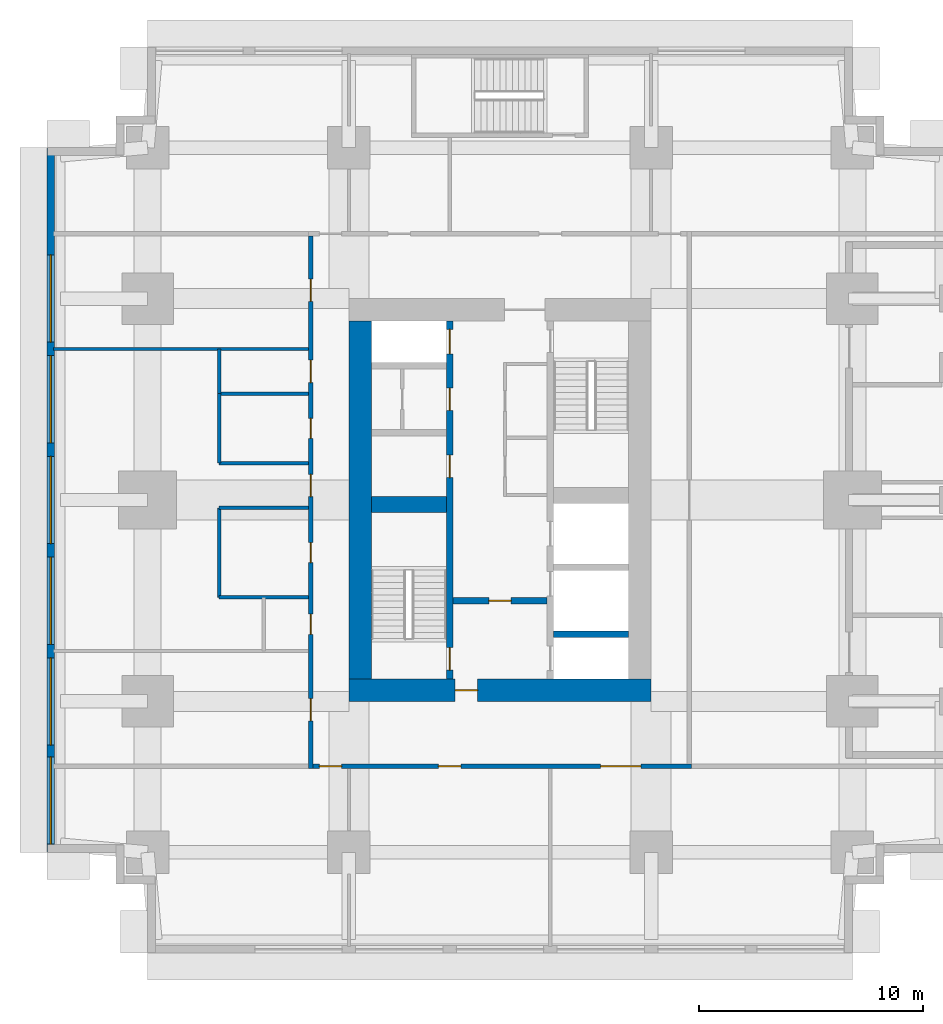
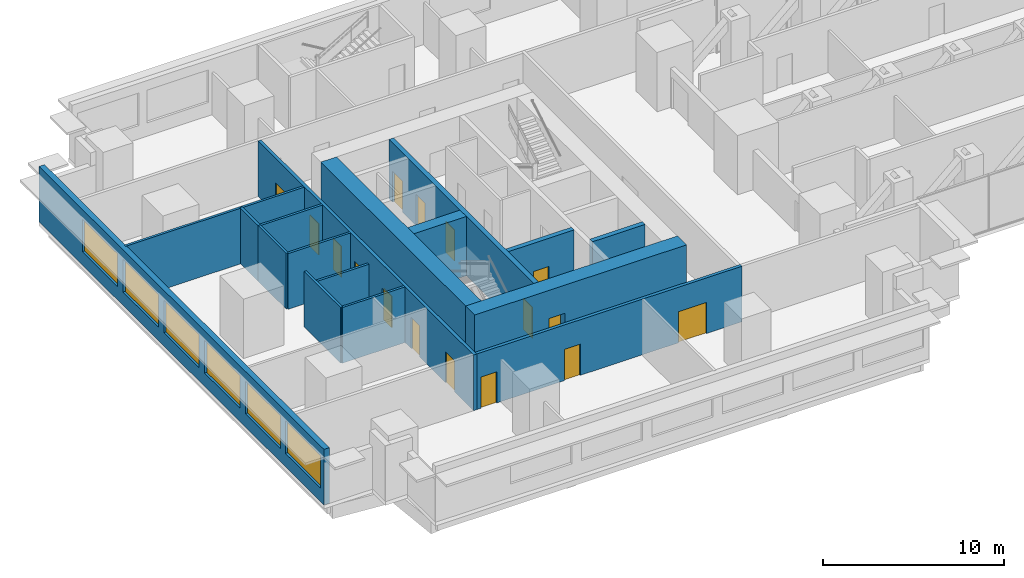
# One storey, part 7 of 16: 17 walls, 16 doors, 6 windows, 22 openings.
"""IFC4 building model written with IfcOpenShell, lengths in metres."""

from ifc_helpers import new_model, si_unit, direction, frame, frame_2d, origin, place, context, subcontext, project, spatial, rectangle, extrude, material, layer, layer_set, type_object, element, fill, save


model = new_model("IFC4")

# Units and contexts
model_context = context("Model", 3, precision=1e-05, world=origin(), true_north=direction((0.0, 1.0)))
body_context = subcontext(model_context, "Body", "Model", "MODEL_VIEW")
ifc_project = project(units=[si_unit("LENGTHUNIT", "METRE"), si_unit("AREAUNIT", "SQUARE_METRE"), si_unit("VOLUMEUNIT", "CUBIC_METRE"), si_unit("PLANEANGLEUNIT", "RADIAN"), si_unit("MASSUNIT", "GRAM", prefix="KILO")], contexts=[model_context])

# Site, building, storey
site_placement = place(None, origin())
site = spatial("IfcSite", under=ifc_project, at=site_placement, CompositionType="ELEMENT")
building_placement = place(site_placement, origin())
building = spatial("IfcBuilding", under=site, at=building_placement, Name="Namib Vertical Campus", CompositionType="ELEMENT")
storey_placement = place(building_placement, frame((0.0, 0.0, 113.0)))
storey = spatial("IfcBuildingStorey", under=building, at=storey_placement, Name="L26", CompositionType="ELEMENT", Elevation=113.0)

# Wall, openings, doors
ifc_material_1 = material(Name="Concrete C60/75", Category="concrete")
ifc_layer_1 = layer(ifc_material_1, 0.300048828125)
ifc_layer_set_1 = layer_set([ifc_layer_1], Name="Concrete C60/75")
wall_type_1 = type_object("IfcWallType", Name="Core inner wall 300", PredefinedType="SHEAR", material=ifc_layer_set_1)
wall_1_placement = place(storey_placement, frame((18.0, 12.25, 0.0), z_axis=(0.0, 0.0, 1.0), x_axis=(0.0, 1.0, 0.0)))
wall_1 = element("IfcWall", 1, at=wall_1_placement, inside=storey, type_object=wall_type_1, Name="Core inner wall A L26 W1", PredefinedType="SHEAR", context=body_context, shape_type="SweptSolid", body=[
    extrude(rectangle(XDim=16.0, YDim=0.300048828125, at=frame_2d((8.0, 0.0))), origin(), (0.0, 0.0, 1.0), 4.0),
])
opening_1_placement = place(wall_1_placement, frame((0.39990234375, 0.0, 0.0)))
opening_1 = element("IfcOpeningElement", 2, at=opening_1_placement, cuts=wall_1, Name="Opening FD1", PredefinedType="OPENING", context=body_context, shape_type="SweptSolid", body=[
    extrude(rectangle(XDim=1.0, YDim=2.10009765625, at=frame_2d((0.5, 1.050048828125))), frame((0.0, 0.159912109375, 0.0), z_axis=(0.0, -1.0, 0.0), x_axis=(1.0, 0.0, 0.0)), (0.0, 0.0, 1.0), 0.320068359375),
])
opening_2_placement = place(wall_1_placement, frame((14.52490234375, 0.0, 0.0)))
opening_2 = element("IfcOpeningElement", 3, at=opening_2_placement, cuts=wall_1, Name="Opening LD1", PredefinedType="OPENING", context=body_context, shape_type="SweptSolid", body=[
    extrude(rectangle(XDim=1.10009765625, YDim=2.10009765625, at=frame_2d((0.550048828125, 1.050048828125))), frame((0.0, 0.159912109375, 0.0), z_axis=(0.0, -1.0, 0.0), x_axis=(1.0, 0.0, 0.0)), (0.0, 0.0, 1.0), 0.320068359375),
])
opening_3_placement = place(wall_1_placement, frame((9.0, 0.0, 0.0)))
opening_3 = element("IfcOpeningElement", 4, at=opening_3_placement, cuts=wall_1, Name="Opening D1", PredefinedType="OPENING", context=body_context, shape_type="SweptSolid", body=[
    extrude(rectangle(XDim=1.0, YDim=2.10009765625, at=frame_2d((0.5, 1.050048828125))), frame((0.0, 0.159912109375, 0.0), z_axis=(0.0, -1.0, 0.0), x_axis=(1.0, 0.0, 0.0)), (0.0, 0.0, 1.0), 0.320068359375),
])
opening_4_placement = place(wall_1_placement, frame((12.0, 0.0, 0.0)))
opening_4 = element("IfcOpeningElement", 5, at=opening_4_placement, cuts=wall_1, Name="Opening D1", PredefinedType="OPENING", context=body_context, shape_type="SweptSolid", body=[
    extrude(rectangle(XDim=1.0, YDim=2.10009765625, at=frame_2d((0.5, 1.050048828125))), frame((0.0, 0.159912109375, 0.0), z_axis=(0.0, -1.0, 0.0), x_axis=(1.0, 0.0, 0.0)), (0.0, 0.0, 1.0), 0.320068359375),
])
ifc_material_2 = material(Name="Timber door leaf", Category="wood")
door_type_1 = type_object("IfcDoorType", Name="Door single 1000x2100", OperationType="SINGLE_SWING_LEFT", PredefinedType="DOOR", material=ifc_material_2)
door_1_placement = place(opening_3_placement, origin())
door_1 = element("IfcDoor", 6, at=door_1_placement, inside=storey, type_object=door_type_1, Name="Door D1 Staff pantry A L26 P1", OperationType="SINGLE_SWING_LEFT", OverallHeight=2.10009765625, OverallWidth=1.0, PredefinedType="DOOR", context=body_context, shape_type="SweptSolid", body=[
    extrude(rectangle(XDim=1.0, YDim=2.10009765625, at=frame_2d((0.5, 1.050048828125))), frame((0.0, 0.02490234375, 0.0), z_axis=(0.0, -1.0, 0.0), x_axis=(1.0, 0.0, 0.0)), (0.0, 0.0, 1.0), 0.050048828125),
])
fill(opening_3, door_1)
door_2_placement = place(opening_4_placement, origin())
door_2 = element("IfcDoor", 7, at=door_2_placement, inside=storey, type_object=door_type_1, Name="Door D1 Records store A L26 P2", OperationType="SINGLE_SWING_LEFT", OverallHeight=2.10009765625, OverallWidth=1.0, PredefinedType="DOOR", context=body_context, shape_type="SweptSolid", body=[
    extrude(rectangle(XDim=1.0, YDim=2.10009765625, at=frame_2d((0.5, 1.050048828125))), frame((0.0, 0.02490234375, 0.0), z_axis=(0.0, -1.0, 0.0), x_axis=(1.0, 0.0, 0.0)), (0.0, 0.0, 1.0), 0.050048828125),
])
fill(opening_4, door_2)
ifc_material_3 = material(Name="Steel fire door", Category="steel")
door_type_2 = type_object("IfcDoorType", Name="Fire door 1000x2100", OperationType="SINGLE_SWING_RIGHT", PredefinedType="DOOR", material=ifc_material_3)
door_3_placement = place(opening_1_placement, origin())
door_3 = element("IfcDoor", 8, at=door_3_placement, inside=storey, type_object=door_type_2, Name="Stair door FD1 A L26 S1", OperationType="SINGLE_SWING_LEFT", OverallHeight=2.10009765625, OverallWidth=1.0, PredefinedType="DOOR", context=body_context, shape_type="SweptSolid", body=[
    extrude(rectangle(XDim=1.0, YDim=2.10009765625, at=frame_2d((0.5, 1.050048828125))), frame((0.0, 0.02490234375, 0.0), z_axis=(0.0, -1.0, 0.0), x_axis=(1.0, 0.0, 0.0)), (0.0, 0.0, 1.0), 0.050048828125),
])
fill(opening_1, door_3)
ifc_material_4 = material(Name="Stainless steel lift door", Category="steel")
door_type_3 = type_object("IfcDoorType", Name="Lift landing door 1100x2100", OperationType="DOUBLE_DOOR_SLIDING", PredefinedType="DOOR", material=ifc_material_4)
door_4_placement = place(opening_2_placement, origin())
door_4 = element("IfcDoor", 9, at=door_4_placement, inside=storey, type_object=door_type_3, Name="Lift landing door LD1 A-P3 L26", OperationType="DOUBLE_DOOR_SLIDING", OverallHeight=2.10009765625, OverallWidth=1.10009765625, PredefinedType="DOOR", context=body_context, shape_type="SweptSolid", body=[
    extrude(rectangle(XDim=1.10009765625, YDim=2.10009765625, at=frame_2d((0.550048828125, 1.050048828125))), frame((0.0, 0.02490234375, 0.0), z_axis=(0.0, -1.0, 0.0), x_axis=(1.0, 0.0, 0.0)), (0.0, 0.0, 1.0), 0.050048828125),
])
fill(opening_2, door_4)

# Wall, opening, door
wall_2_placement = place(storey_placement, frame((18.14990234375, 15.75, 0.0), z_axis=(0.0, 0.0, 1.0), x_axis=(1.0, 0.0, 0.0)))
wall_2 = element("IfcWall", 10, at=wall_2_placement, inside=storey, type_object=wall_type_1, Name="Core inner wall A L26 W4", PredefinedType="SHEAR", context=body_context, shape_type="SweptSolid", body=[
    extrude(rectangle(XDim=4.2001953125, YDim=0.300048828125, at=frame_2d((2.10009765625, 0.0))), origin(), (0.0, 0.0, 1.0), 4.0),
])
opening_5_placement = place(wall_2_placement, frame((1.60009765625, 0.0, 0.0)))
opening_5 = element("IfcOpeningElement", 11, at=opening_5_placement, cuts=wall_2, Name="Opening FD5", PredefinedType="OPENING", context=body_context, shape_type="SweptSolid", body=[
    extrude(rectangle(XDim=1.0, YDim=2.10009765625, at=frame_2d((0.5, 1.050048828125))), frame((0.0, 0.159912109375, 0.0), z_axis=(0.0, -1.0, 0.0), x_axis=(1.0, 0.0, 0.0)), (0.0, 0.0, 1.0), 0.320068359375),
])
ifc_material_5 = material(Name="Steel fire door", Category="steel")
door_type_4 = type_object("IfcDoorType", Name="Fire door 1000x2100 120 min", OperationType="SINGLE_SWING_RIGHT", PredefinedType="DOOR", material=ifc_material_5)
door_5_placement = place(opening_5_placement, frame((1.0, 0.0, 0.0), z_axis=(0.0, 0.0, 1.0), x_axis=(-1.0, 0.0, 0.0)))
door_5 = element("IfcDoor", 12, at=door_5_placement, inside=storey, type_object=door_type_4, Name="Lobby door FD5 A L26", OperationType="SINGLE_SWING_RIGHT", OverallHeight=2.10009765625, OverallWidth=1.0, PredefinedType="DOOR", context=body_context, shape_type="SweptSolid", body=[
    extrude(rectangle(XDim=1.0, YDim=2.10009765625, at=frame_2d((0.5, 1.050048828125))), frame((0.0, 0.02490234375, 0.0), z_axis=(0.0, -1.0, 0.0), x_axis=(1.0, 0.0, 0.0)), (0.0, 0.0, 1.0), 0.050048828125),
])
fill(opening_5, door_5)

# Walls
wall_3_placement = place(storey_placement, frame((22.64990234375, 14.25, 0.0), z_axis=(0.0, 0.0, 1.0), x_axis=(1.0, 0.0, 0.0)))
element("IfcWall", 13, at=wall_3_placement, inside=storey, type_object=wall_type_1, Name="Core inner wall A L26 W5", PredefinedType="SHEAR", context=body_context, shape_type="SweptSolid", body=[
    extrude(rectangle(XDim=3.35009765625, YDim=0.300048828125, at=frame_2d((1.675048828125, 0.0))), origin(), (0.0, 0.0, 1.0), 4.0),
])
ifc_material_6 = material(Name="Concrete C60/75", Category="concrete")
ifc_layer_2 = layer(ifc_material_6, 0.699951171875)
ifc_layer_set_2 = layer_set([ifc_layer_2], Name="Concrete C60/75")
wall_type_2 = type_object("IfcWallType", Name="Core shear wall 700", PredefinedType="SHEAR", material=ifc_layer_set_2)
wall_4_placement = place(storey_placement, frame((14.5, 20.050048828125, 0.0), z_axis=(0.0, 0.0, 1.0), x_axis=(1.0, 0.0, 0.0)))
element("IfcWall", 14, at=wall_4_placement, inside=storey, type_object=wall_type_2, Name="Core shear wall A L26 W3", PredefinedType="SHEAR", context=body_context, shape_type="SweptSolid", body=[
    extrude(rectangle(XDim=3.35009765625, YDim=0.699951171875, at=frame_2d((1.675048828125, 0.0))), origin(), (0.0, 0.0, 1.0), 4.0),
])

# Wall, opening, door
ifc_material_7 = material(Name="Concrete C60/75", Category="concrete")
ifc_layer_3 = layer(ifc_material_7, 1.0)
ifc_layer_set_3 = layer_set([ifc_layer_3], Name="Concrete C60/75")
wall_type_3 = type_object("IfcWallType", Name="Core wall 1000", PredefinedType="SHEAR", material=ifc_layer_set_3)
wall_5_placement = place(storey_placement, frame((13.5, 11.75, 0.0), z_axis=(0.0, 0.0, 1.0), x_axis=(1.0, 0.0, 0.0)))
wall_5 = element("IfcWall", 15, at=wall_5_placement, inside=storey, type_object=wall_type_3, Name="Core wall A L26 1", PredefinedType="SHEAR", context=body_context, shape_type="SweptSolid", body=[
    extrude(rectangle(XDim=13.5, YDim=1.0, at=frame_2d((6.75, 0.0))), origin(), (0.0, 0.0, 1.0), 4.0),
])
opening_6_placement = place(wall_5_placement, frame((4.75, 0.0, 0.0)))
opening_6 = element("IfcOpeningElement", 16, at=opening_6_placement, cuts=wall_5, Name="Opening FD5", PredefinedType="OPENING", context=body_context, shape_type="SweptSolid", body=[
    extrude(rectangle(XDim=1.0, YDim=2.10009765625, at=frame_2d((0.5, 1.050048828125))), frame((0.0, 0.510009765625, 0.0), z_axis=(0.0, -1.0, 0.0), x_axis=(1.0, 0.0, 0.0)), (0.0, 0.0, 1.0), 1.02001953125),
])
door_6_placement = place(opening_6_placement, origin())
door_6 = element("IfcDoor", 17, at=door_6_placement, inside=storey, type_object=door_type_4, Name="Firefighting lobby door FD5 A L26", OperationType="SINGLE_SWING_LEFT", OverallHeight=2.10009765625, OverallWidth=1.0, PredefinedType="DOOR", context=body_context, shape_type="SweptSolid", body=[
    extrude(rectangle(XDim=1.0, YDim=2.10009765625, at=frame_2d((0.5, 1.050048828125))), frame((0.0, 0.02490234375, 0.0), z_axis=(0.0, -1.0, 0.0), x_axis=(1.0, 0.0, 0.0)), (0.0, 0.0, 1.0), 0.050048828125),
])
fill(opening_6, door_6)

# Wall
wall_6_placement = place(storey_placement, frame((14.0, 28.25, 0.0), z_axis=(0.0, 0.0, 1.0), x_axis=(0.0, -1.0, 0.0)))
element("IfcWall", 18, at=wall_6_placement, inside=storey, type_object=wall_type_3, Name="Core wall A L26 4", PredefinedType="SHEAR", context=body_context, shape_type="SweptSolid", body=[
    extrude(rectangle(XDim=16.0, YDim=1.0, at=frame_2d((8.0, 0.0))), origin(), (0.0, 0.0, 1.0), 4.0),
])

# Wall, openings, doors
ifc_material_8 = material(Name="Concrete masonry", Category="masonry")
ifc_layer_4 = layer(ifc_material_8, 0.199951171875)
ifc_layer_set_4 = layer_set([ifc_layer_4], Name="Corridor wall 200")
wall_type_4 = type_object("IfcWallType", Name="Corridor wall 200", PredefinedType="SOLIDWALL", material=ifc_layer_set_4)
wall_7_placement = place(storey_placement, frame((11.89990234375, 8.35009765625, 0.0), z_axis=(0.0, 0.0, 1.0), x_axis=(1.0, 0.0, 0.0)))
wall_7 = element("IfcWall", 19, at=wall_7_placement, inside=storey, type_object=wall_type_4, Name="Corridor wall A L26 CS", PredefinedType="SOLIDWALL", context=body_context, shape_type="SweptSolid", body=[
    extrude(rectangle(XDim=16.900146484375, YDim=0.199951171875, at=frame_2d((8.4501953125, 0.0))), origin(), (0.0, 0.0, 1.0), 3.75),
])
opening_7_placement = place(wall_7_placement, frame((0.27490234375, 0.0, 0.0)))
opening_7 = element("IfcOpeningElement", 20, at=opening_7_placement, cuts=wall_7, Name="Opening CD1", PredefinedType="OPENING", context=body_context, shape_type="SweptSolid", body=[
    extrude(rectangle(XDim=1.0, YDim=2.10009765625, at=frame_2d((0.5, 1.050048828125))), frame((0.0, 0.10986328125, 0.0), z_axis=(0.0, -1.0, 0.0), x_axis=(1.0, 0.0, 0.0)), (0.0, 0.0, 1.0), 0.219970703125),
])
opening_8_placement = place(wall_7_placement, frame((5.60009765625, 0.0, 0.0)))
opening_8 = element("IfcOpeningElement", 21, at=opening_8_placement, cuts=wall_7, Name="Opening CD1", PredefinedType="OPENING", context=body_context, shape_type="SweptSolid", body=[
    extrude(rectangle(XDim=1.0, YDim=2.10009765625, at=frame_2d((0.5, 1.050048828125))), frame((0.0, 0.10986328125, 0.0), z_axis=(0.0, -1.0, 0.0), x_axis=(1.0, 0.0, 0.0)), (0.0, 0.0, 1.0), 0.219970703125),
])
opening_9_placement = place(wall_7_placement, frame((12.85009765625, 0.0, 0.0)))
opening_9 = element("IfcOpeningElement", 22, at=opening_9_placement, cuts=wall_7, Name="Opening CD2", PredefinedType="OPENING", context=body_context, shape_type="SweptSolid", body=[
    extrude(rectangle(XDim=1.800048828125, YDim=2.10009765625, at=frame_2d((0.89990234375, 1.050048828125))), frame((0.0, 0.10986328125, 0.0), z_axis=(0.0, -1.0, 0.0), x_axis=(1.0, 0.0, 0.0)), (0.0, 0.0, 1.0), 0.219970703125),
])
ifc_material_9 = material(Name="Timber fire door leaf", Category="wood")
door_type_5 = type_object("IfcDoorType", Name="Corridor door 1000x2100 20 min", OperationType="SINGLE_SWING_LEFT", PredefinedType="DOOR", material=ifc_material_9)
door_7_placement = place(opening_7_placement, frame((1.0, 0.0, 0.0), z_axis=(0.0, 0.0, 1.0), x_axis=(-1.0, 0.0, 0.0)))
door_7 = element("IfcDoor", 23, at=door_7_placement, inside=storey, type_object=door_type_5, Name="Door CD1 A26-01", OperationType="SINGLE_SWING_LEFT", OverallHeight=2.10009765625, OverallWidth=1.0, PredefinedType="DOOR", context=body_context, shape_type="SweptSolid", body=[
    extrude(rectangle(XDim=1.0, YDim=2.10009765625, at=frame_2d((0.5, 1.050048828125))), frame((0.0, 0.02490234375, 0.0), z_axis=(0.0, -1.0, 0.0), x_axis=(1.0, 0.0, 0.0)), (0.0, 0.0, 1.0), 0.050048828125),
])
fill(opening_7, door_7)
door_8_placement = place(opening_8_placement, frame((1.0, 0.0, 0.0), z_axis=(0.0, 0.0, 1.0), x_axis=(-1.0, 0.0, 0.0)))
door_8 = element("IfcDoor", 24, at=door_8_placement, inside=storey, type_object=door_type_5, Name="Door CD1 A26-02", OperationType="SINGLE_SWING_RIGHT", OverallHeight=2.10009765625, OverallWidth=1.0, PredefinedType="DOOR", context=body_context, shape_type="SweptSolid", body=[
    extrude(rectangle(XDim=1.0, YDim=2.10009765625, at=frame_2d((0.5, 1.050048828125))), frame((0.0, 0.02490234375, 0.0), z_axis=(0.0, -1.0, 0.0), x_axis=(1.0, 0.0, 0.0)), (0.0, 0.0, 1.0), 0.050048828125),
])
fill(opening_8, door_8)
ifc_material_10 = material(Name="Timber fire door leaf", Category="wood")
door_type_6 = type_object("IfcDoorType", Name="Corridor door double 1800x2100 20 min", OperationType="DOUBLE_DOOR_SINGLE_SWING", PredefinedType="DOOR", material=ifc_material_10)
door_9_placement = place(opening_9_placement, frame((1.800048828125, 0.0, 0.0), z_axis=(0.0, 0.0, 1.0), x_axis=(-1.0, 0.0, 0.0)))
door_9 = element("IfcDoor", 25, at=door_9_placement, inside=storey, type_object=door_type_6, Name="Door CD2 A26-03", OperationType="DOUBLE_DOOR_SINGLE_SWING", OverallHeight=2.10009765625, OverallWidth=1.800048828125, PredefinedType="DOOR", context=body_context, shape_type="SweptSolid", body=[
    extrude(rectangle(XDim=1.800048828125, YDim=2.10009765625, at=frame_2d((0.89990234375, 1.050048828125))), frame((0.0, 0.02490234375, 0.0), z_axis=(0.0, -1.0, 0.0), x_axis=(1.0, 0.0, 0.0)), (0.0, 0.0, 1.0), 0.050048828125),
])
fill(opening_9, door_9)

wall_8_placement = place(storey_placement, frame((11.800048828125, 32.050048828125, 0.0), z_axis=(0.0, 0.0, 1.0), x_axis=(0.0, -1.0, 0.0)))
wall_8 = element("IfcWall", 26, at=wall_8_placement, inside=storey, type_object=wall_type_4, Name="Corridor wall A L26 CW", PredefinedType="SOLIDWALL", context=body_context, shape_type="SweptSolid", body=[
    extrude(rectangle(XDim=23.800048828125, YDim=0.199951171875, at=frame_2d((11.89990234375, 0.0))), origin(), (0.0, 0.0, 1.0), 3.75),
])
opening_10_placement = place(wall_8_placement, frame((20.675048828125, 0.0, 0.0)))
opening_10 = element("IfcOpeningElement", 27, at=opening_10_placement, cuts=wall_8, Name="Opening CD1", PredefinedType="OPENING", context=body_context, shape_type="SweptSolid", body=[
    extrude(rectangle(XDim=1.0, YDim=2.10009765625, at=frame_2d((0.5, 1.050048828125))), frame((0.0, 0.10986328125, 0.0), z_axis=(0.0, -1.0, 0.0), x_axis=(1.0, 0.0, 0.0)), (0.0, 0.0, 1.0), 0.219970703125),
])
opening_11_placement = place(wall_8_placement, frame((16.89990234375, 0.0, 0.0)))
opening_11 = element("IfcOpeningElement", 28, at=opening_11_placement, cuts=wall_8, Name="Opening CD3", PredefinedType="OPENING", context=body_context, shape_type="SweptSolid", body=[
    extrude(rectangle(XDim=0.89990234375, YDim=2.10009765625, at=frame_2d((0.449951171875, 1.050048828125))), frame((0.0, 0.10986328125, 0.0), z_axis=(0.0, -1.0, 0.0), x_axis=(1.0, 0.0, 0.0)), (0.0, 0.0, 1.0), 0.219970703125),
])
opening_12_placement = place(wall_8_placement, frame((13.699951171875, 0.0, 0.0)))
opening_12 = element("IfcOpeningElement", 29, at=opening_12_placement, cuts=wall_8, Name="Opening CD3", PredefinedType="OPENING", context=body_context, shape_type="SweptSolid", body=[
    extrude(rectangle(XDim=0.89990234375, YDim=2.10009765625, at=frame_2d((0.449951171875, 1.050048828125))), frame((0.0, 0.10986328125, 0.0), z_axis=(0.0, -1.0, 0.0), x_axis=(1.0, 0.0, 0.0)), (0.0, 0.0, 1.0), 0.219970703125),
])
opening_13_placement = place(wall_8_placement, frame((8.14990234375, 0.0, 0.0)))
opening_13 = element("IfcOpeningElement", 30, at=opening_13_placement, cuts=wall_8, Name="Opening CD3", PredefinedType="OPENING", context=body_context, shape_type="SweptSolid", body=[
    extrude(rectangle(XDim=0.89990234375, YDim=2.10009765625, at=frame_2d((0.449951171875, 1.050048828125))), frame((0.0, 0.10986328125, 0.0), z_axis=(0.0, -1.0, 0.0), x_axis=(1.0, 0.0, 0.0)), (0.0, 0.0, 1.0), 0.219970703125),
])
opening_14_placement = place(wall_8_placement, frame((5.550048828125, 0.0, 0.0)))
opening_14 = element("IfcOpeningElement", 31, at=opening_14_placement, cuts=wall_8, Name="Opening CD1", PredefinedType="OPENING", context=body_context, shape_type="SweptSolid", body=[
    extrude(rectangle(XDim=1.0, YDim=2.10009765625, at=frame_2d((0.5, 1.050048828125))), frame((0.0, 0.10986328125, 0.0), z_axis=(0.0, -1.0, 0.0), x_axis=(1.0, 0.0, 0.0)), (0.0, 0.0, 1.0), 0.219970703125),
])
opening_15_placement = place(wall_8_placement, frame((10.64990234375, 0.0, 0.0)))
opening_15 = element("IfcOpeningElement", 32, at=opening_15_placement, cuts=wall_8, Name="Opening CD1", PredefinedType="OPENING", context=body_context, shape_type="SweptSolid", body=[
    extrude(rectangle(XDim=1.0, YDim=2.10009765625, at=frame_2d((0.5, 1.050048828125))), frame((0.0, 0.10986328125, 0.0), z_axis=(0.0, -1.0, 0.0), x_axis=(1.0, 0.0, 0.0)), (0.0, 0.0, 1.0), 0.219970703125),
])
opening_16_placement = place(wall_8_placement, frame((1.925048828125, 0.0, 0.0)))
opening_16 = element("IfcOpeningElement", 33, at=opening_16_placement, cuts=wall_8, Name="Opening CD1", PredefinedType="OPENING", context=body_context, shape_type="SweptSolid", body=[
    extrude(rectangle(XDim=1.0, YDim=2.10009765625, at=frame_2d((0.5, 1.050048828125))), frame((0.0, 0.10986328125, 0.0), z_axis=(0.0, -1.0, 0.0), x_axis=(1.0, 0.0, 0.0)), (0.0, 0.0, 1.0), 0.219970703125),
])
door_10_placement = place(opening_10_placement, frame((1.0, 0.0, 0.0), z_axis=(0.0, 0.0, 1.0), x_axis=(-1.0, 0.0, 0.0)))
door_10 = element("IfcDoor", 34, at=door_10_placement, inside=storey, type_object=door_type_5, Name="Door CD1 A26-09", OperationType="SINGLE_SWING_RIGHT", OverallHeight=2.10009765625, OverallWidth=1.0, PredefinedType="DOOR", context=body_context, shape_type="SweptSolid", body=[
    extrude(rectangle(XDim=1.0, YDim=2.10009765625, at=frame_2d((0.5, 1.050048828125))), frame((0.0, 0.02490234375, 0.0), z_axis=(0.0, -1.0, 0.0), x_axis=(1.0, 0.0, 0.0)), (0.0, 0.0, 1.0), 0.050048828125),
])
fill(opening_10, door_10)
door_11_placement = place(opening_14_placement, frame((1.0, 0.0, 0.0), z_axis=(0.0, 0.0, 1.0), x_axis=(-1.0, 0.0, 0.0)))
door_11 = element("IfcDoor", 35, at=door_11_placement, inside=storey, type_object=door_type_5, Name="Door CD1 A26-13", OperationType="SINGLE_SWING_RIGHT", OverallHeight=2.10009765625, OverallWidth=1.0, PredefinedType="DOOR", context=body_context, shape_type="SweptSolid", body=[
    extrude(rectangle(XDim=1.0, YDim=2.10009765625, at=frame_2d((0.5, 1.050048828125))), frame((0.0, 0.02490234375, 0.0), z_axis=(0.0, -1.0, 0.0), x_axis=(1.0, 0.0, 0.0)), (0.0, 0.0, 1.0), 0.050048828125),
])
fill(opening_14, door_11)
door_12_placement = place(opening_15_placement, frame((1.0, 0.0, 0.0), z_axis=(0.0, 0.0, 1.0), x_axis=(-1.0, 0.0, 0.0)))
door_12 = element("IfcDoor", 36, at=door_12_placement, inside=storey, type_object=door_type_5, Name="Door CD1 A26-14", OperationType="SINGLE_SWING_RIGHT", OverallHeight=2.10009765625, OverallWidth=1.0, PredefinedType="DOOR", context=body_context, shape_type="SweptSolid", body=[
    extrude(rectangle(XDim=1.0, YDim=2.10009765625, at=frame_2d((0.5, 1.050048828125))), frame((0.0, 0.02490234375, 0.0), z_axis=(0.0, -1.0, 0.0), x_axis=(1.0, 0.0, 0.0)), (0.0, 0.0, 1.0), 0.050048828125),
])
fill(opening_15, door_12)
door_13_placement = place(opening_16_placement, frame((1.0, 0.0, 0.0), z_axis=(0.0, 0.0, 1.0), x_axis=(-1.0, 0.0, 0.0)))
door_13 = element("IfcDoor", 37, at=door_13_placement, inside=storey, type_object=door_type_5, Name="Door CD1 A26-15", OperationType="SINGLE_SWING_RIGHT", OverallHeight=2.10009765625, OverallWidth=1.0, PredefinedType="DOOR", context=body_context, shape_type="SweptSolid", body=[
    extrude(rectangle(XDim=1.0, YDim=2.10009765625, at=frame_2d((0.5, 1.050048828125))), frame((0.0, 0.02490234375, 0.0), z_axis=(0.0, -1.0, 0.0), x_axis=(1.0, 0.0, 0.0)), (0.0, 0.0, 1.0), 0.050048828125),
])
fill(opening_16, door_13)
ifc_material_11 = material(Name="Timber fire door leaf", Category="wood")
door_type_7 = type_object("IfcDoorType", Name="Corridor toilet door 900x2100 20 min", OperationType="SINGLE_SWING_LEFT", PredefinedType="DOOR", material=ifc_material_11)
door_14_placement = place(opening_11_placement, frame((0.89990234375, 0.0, 0.0), z_axis=(0.0, 0.0, 1.0), x_axis=(-1.0, 0.0, 0.0)))
door_14 = element("IfcDoor", 38, at=door_14_placement, inside=storey, type_object=door_type_7, Name="Door CD3 A26-10", OperationType="SINGLE_SWING_RIGHT", OverallHeight=2.10009765625, OverallWidth=0.89990234375, PredefinedType="DOOR", context=body_context, shape_type="SweptSolid", body=[
    extrude(rectangle(XDim=0.89990234375, YDim=2.10009765625, at=frame_2d((0.449951171875, 1.050048828125))), frame((0.0, 0.02490234375, 0.0), z_axis=(0.0, -1.0, 0.0), x_axis=(1.0, 0.0, 0.0)), (0.0, 0.0, 1.0), 0.050048828125),
])
fill(opening_11, door_14)
door_15_placement = place(opening_12_placement, frame((0.89990234375, 0.0, 0.0), z_axis=(0.0, 0.0, 1.0), x_axis=(-1.0, 0.0, 0.0)))
door_15 = element("IfcDoor", 39, at=door_15_placement, inside=storey, type_object=door_type_7, Name="Door CD3 A26-11", OperationType="SINGLE_SWING_RIGHT", OverallHeight=2.10009765625, OverallWidth=0.89990234375, PredefinedType="DOOR", context=body_context, shape_type="SweptSolid", body=[
    extrude(rectangle(XDim=0.89990234375, YDim=2.10009765625, at=frame_2d((0.449951171875, 1.050048828125))), frame((0.0, 0.02490234375, 0.0), z_axis=(0.0, -1.0, 0.0), x_axis=(1.0, 0.0, 0.0)), (0.0, 0.0, 1.0), 0.050048828125),
])
fill(opening_12, door_15)
door_16_placement = place(opening_13_placement, frame((0.89990234375, 0.0, 0.0), z_axis=(0.0, 0.0, 1.0), x_axis=(-1.0, 0.0, 0.0)))
door_16 = element("IfcDoor", 40, at=door_16_placement, inside=storey, type_object=door_type_7, Name="Door CD3 A26-12", OperationType="SINGLE_SWING_RIGHT", OverallHeight=2.10009765625, OverallWidth=0.89990234375, PredefinedType="DOOR", context=body_context, shape_type="SweptSolid", body=[
    extrude(rectangle(XDim=0.89990234375, YDim=2.10009765625, at=frame_2d((0.449951171875, 1.050048828125))), frame((0.0, 0.02490234375, 0.0), z_axis=(0.0, -1.0, 0.0), x_axis=(1.0, 0.0, 0.0)), (0.0, 0.0, 1.0), 0.050048828125),
])
fill(opening_13, door_16)

# Wall, openings, windows
ifc_material_12 = material(Name="Concrete C40/50", Category="concrete")
ifc_layer_5 = layer(ifc_material_12, 0.35009765625)
ifc_layer_set_5 = layer_set([ifc_layer_5], Name="Concrete C40/50")
wall_type_5 = type_object("IfcWallType", Name="External wall 350 bush-hammered concrete", PredefinedType="STANDARD", material=ifc_layer_set_5)
wall_9_placement = place(storey_placement, frame((0.175048828125, 35.97998046875, 0.0), z_axis=(0.0, 0.0, 1.0), x_axis=(0.0, -1.0, 0.0)))
wall_9 = element("IfcWall", 41, at=wall_9_placement, inside=storey, type_object=wall_type_5, Name="External wall L26 F21", PredefinedType="STANDARD", context=body_context, shape_type="SweptSolid", body=[
    extrude(rectangle(XDim=31.4599609375, YDim=0.35009765625, at=frame_2d((15.72998046875, 0.0))), origin(), (0.0, 0.0, 1.0), 3.75),
])
opening_17_placement = place(wall_9_placement, frame((27.2099609375, 0.0, 0.89990234375)))
opening_17 = element("IfcOpeningElement", 42, at=opening_17_placement, cuts=wall_9, Name="Opening W1", PredefinedType="OPENING", context=body_context, shape_type="SweptSolid", body=[
    extrude(rectangle(XDim=3.89990234375, YDim=2.199951171875, at=frame_2d((1.949951171875, 1.10009765625))), frame((0.0, 0.18505859375, 0.0), z_axis=(0.0, -1.0, 0.0), x_axis=(1.0, 0.0, 0.0)), (0.0, 0.0, 1.0), 0.3701171875),
])
opening_18_placement = place(wall_9_placement, frame((22.780029296875, 0.0, 0.89990234375)))
opening_18 = element("IfcOpeningElement", 43, at=opening_18_placement, cuts=wall_9, Name="Opening W1", PredefinedType="OPENING", context=body_context, shape_type="SweptSolid", body=[
    extrude(rectangle(XDim=3.89990234375, YDim=2.199951171875, at=frame_2d((1.949951171875, 1.10009765625))), frame((0.0, 0.18505859375, 0.0), z_axis=(0.0, -1.0, 0.0), x_axis=(1.0, 0.0, 0.0)), (0.0, 0.0, 1.0), 0.3701171875),
])
opening_19_placement = place(wall_9_placement, frame((18.280029296875, 0.0, 0.89990234375)))
opening_19 = element("IfcOpeningElement", 44, at=opening_19_placement, cuts=wall_9, Name="Opening W1", PredefinedType="OPENING", context=body_context, shape_type="SweptSolid", body=[
    extrude(rectangle(XDim=3.89990234375, YDim=2.199951171875, at=frame_2d((1.949951171875, 1.10009765625))), frame((0.0, 0.18505859375, 0.0), z_axis=(0.0, -1.0, 0.0), x_axis=(1.0, 0.0, 0.0)), (0.0, 0.0, 1.0), 0.3701171875),
])
opening_20_placement = place(wall_9_placement, frame((13.780029296875, 0.0, 0.89990234375)))
opening_20 = element("IfcOpeningElement", 45, at=opening_20_placement, cuts=wall_9, Name="Opening W1", PredefinedType="OPENING", context=body_context, shape_type="SweptSolid", body=[
    extrude(rectangle(XDim=3.89990234375, YDim=2.199951171875, at=frame_2d((1.949951171875, 1.10009765625))), frame((0.0, 0.18505859375, 0.0), z_axis=(0.0, -1.0, 0.0), x_axis=(1.0, 0.0, 0.0)), (0.0, 0.0, 1.0), 0.3701171875),
])
opening_21_placement = place(wall_9_placement, frame((9.280029296875, 0.0, 0.89990234375)))
opening_21 = element("IfcOpeningElement", 46, at=opening_21_placement, cuts=wall_9, Name="Opening W1", PredefinedType="OPENING", context=body_context, shape_type="SweptSolid", body=[
    extrude(rectangle(XDim=3.89990234375, YDim=2.199951171875, at=frame_2d((1.949951171875, 1.10009765625))), frame((0.0, 0.18505859375, 0.0), z_axis=(0.0, -1.0, 0.0), x_axis=(1.0, 0.0, 0.0)), (0.0, 0.0, 1.0), 0.3701171875),
])
opening_22_placement = place(wall_9_placement, frame((4.780029296875, 0.0, 0.89990234375)))
opening_22 = element("IfcOpeningElement", 47, at=opening_22_placement, cuts=wall_9, Name="Opening W1", PredefinedType="OPENING", context=body_context, shape_type="SweptSolid", body=[
    extrude(rectangle(XDim=3.89990234375, YDim=2.199951171875, at=frame_2d((1.949951171875, 1.10009765625))), frame((0.0, 0.18505859375, 0.0), z_axis=(0.0, -1.0, 0.0), x_axis=(1.0, 0.0, 0.0)), (0.0, 0.0, 1.0), 0.3701171875),
])
ifc_material_13 = material(Name="Dark tinted glass in black aluminium frame", Category="aluminium")
window_type = type_object("IfcWindowType", Name="Ribbon window 3900x2200", PartitioningType="SINGLE_PANEL", PredefinedType="WINDOW", material=ifc_material_13)
window_1_placement = place(opening_17_placement, origin())
window_1 = element("IfcWindow", 48, at=window_1_placement, inside=storey, type_object=window_type, Name="Window W1 L26 F21-1", OverallHeight=2.199951171875, OverallWidth=3.89990234375, PartitioningType="SINGLE_PANEL", PredefinedType="WINDOW", context=body_context, shape_type="SweptSolid", body=[
    extrude(rectangle(XDim=3.89990234375, YDim=2.199951171875, at=frame_2d((1.949951171875, 1.10009765625))), frame((0.0, 0.030029296875, 0.0), z_axis=(0.0, -1.0, 0.0), x_axis=(1.0, 0.0, 0.0)), (0.0, 0.0, 1.0), 0.06005859375),
])
fill(opening_17, window_1)
window_2_placement = place(opening_18_placement, origin())
window_2 = element("IfcWindow", 49, at=window_2_placement, inside=storey, type_object=window_type, Name="Window W1 L26 F21-2", OverallHeight=2.199951171875, OverallWidth=3.89990234375, PartitioningType="SINGLE_PANEL", PredefinedType="WINDOW", context=body_context, shape_type="SweptSolid", body=[
    extrude(rectangle(XDim=3.89990234375, YDim=2.199951171875, at=frame_2d((1.949951171875, 1.10009765625))), frame((0.0, 0.030029296875, 0.0), z_axis=(0.0, -1.0, 0.0), x_axis=(1.0, 0.0, 0.0)), (0.0, 0.0, 1.0), 0.06005859375),
])
fill(opening_18, window_2)
window_3_placement = place(opening_19_placement, origin())
window_3 = element("IfcWindow", 50, at=window_3_placement, inside=storey, type_object=window_type, Name="Window W1 L26 F21-3", OverallHeight=2.199951171875, OverallWidth=3.89990234375, PartitioningType="SINGLE_PANEL", PredefinedType="WINDOW", context=body_context, shape_type="SweptSolid", body=[
    extrude(rectangle(XDim=3.89990234375, YDim=2.199951171875, at=frame_2d((1.949951171875, 1.10009765625))), frame((0.0, 0.030029296875, 0.0), z_axis=(0.0, -1.0, 0.0), x_axis=(1.0, 0.0, 0.0)), (0.0, 0.0, 1.0), 0.06005859375),
])
fill(opening_19, window_3)
window_4_placement = place(opening_20_placement, origin())
window_4 = element("IfcWindow", 51, at=window_4_placement, inside=storey, type_object=window_type, Name="Window W1 L26 F21-4", OverallHeight=2.199951171875, OverallWidth=3.89990234375, PartitioningType="SINGLE_PANEL", PredefinedType="WINDOW", context=body_context, shape_type="SweptSolid", body=[
    extrude(rectangle(XDim=3.89990234375, YDim=2.199951171875, at=frame_2d((1.949951171875, 1.10009765625))), frame((0.0, 0.030029296875, 0.0), z_axis=(0.0, -1.0, 0.0), x_axis=(1.0, 0.0, 0.0)), (0.0, 0.0, 1.0), 0.06005859375),
])
fill(opening_20, window_4)
window_5_placement = place(opening_21_placement, origin())
window_5 = element("IfcWindow", 52, at=window_5_placement, inside=storey, type_object=window_type, Name="Window W1 L26 F21-5", OverallHeight=2.199951171875, OverallWidth=3.89990234375, PartitioningType="SINGLE_PANEL", PredefinedType="WINDOW", context=body_context, shape_type="SweptSolid", body=[
    extrude(rectangle(XDim=3.89990234375, YDim=2.199951171875, at=frame_2d((1.949951171875, 1.10009765625))), frame((0.0, 0.030029296875, 0.0), z_axis=(0.0, -1.0, 0.0), x_axis=(1.0, 0.0, 0.0)), (0.0, 0.0, 1.0), 0.06005859375),
])
fill(opening_21, window_5)
window_6_placement = place(opening_22_placement, origin())
window_6 = element("IfcWindow", 53, at=window_6_placement, inside=storey, type_object=window_type, Name="Window W1 L26 F21-6", OverallHeight=2.199951171875, OverallWidth=3.89990234375, PartitioningType="SINGLE_PANEL", PredefinedType="WINDOW", context=body_context, shape_type="SweptSolid", body=[
    extrude(rectangle(XDim=3.89990234375, YDim=2.199951171875, at=frame_2d((1.949951171875, 1.10009765625))), frame((0.0, 0.030029296875, 0.0), z_axis=(0.0, -1.0, 0.0), x_axis=(1.0, 0.0, 0.0)), (0.0, 0.0, 1.0), 0.06005859375),
])
fill(opening_22, window_6)

# Walls
ifc_material_14 = material(Name="Gypsum board on steel studs", Category="steel")
ifc_layer_6 = layer(ifc_material_14, 0.14990234375)
ifc_layer_set_6 = layer_set([ifc_layer_6], Name="Gypsum board on steel studs")
wall_type_6 = type_object("IfcWallType", Name="Partition 150", PredefinedType="PARTITIONING", material=ifc_layer_set_6)
wall_10_placement = place(storey_placement, frame((0.300048828125, 27.0, 0.0), z_axis=(0.0, 0.0, 1.0), x_axis=(1.0, 0.0, 0.0)))
element("IfcWall", 54, at=wall_10_placement, inside=storey, type_object=wall_type_6, Name="Partition A L26 PW2", PredefinedType="PARTITIONING", context=body_context, shape_type="SweptSolid", body=[
    extrude(rectangle(XDim=11.39990234375, YDim=0.14990234375, at=frame_2d((5.699951171875, 0.0))), origin(), (0.0, 0.0, 1.0), 3.75),
])
wall_11_placement = place(storey_placement, frame((11.699951171875, 15.89990234375, 0.0), z_axis=(0.0, 0.0, 1.0), x_axis=(-1.0, 0.0, 0.0)))
element("IfcWall", 55, at=wall_11_placement, inside=storey, type_object=wall_type_6, Name="Partition A L26 WR1", PredefinedType="PARTITIONING", context=body_context, shape_type="SweptSolid", body=[
    extrude(rectangle(XDim=4.0, YDim=0.14990234375, at=frame_2d((2.0, 0.0))), origin(), (0.0, 0.0, 1.0), 3.75),
])
wall_12_placement = place(storey_placement, frame((11.699951171875, 19.89990234375, 0.0), z_axis=(0.0, 0.0, 1.0), x_axis=(-1.0, 0.0, 0.0)))
element("IfcWall", 56, at=wall_12_placement, inside=storey, type_object=wall_type_6, Name="Partition A L26 WR2", PredefinedType="PARTITIONING", context=body_context, shape_type="SweptSolid", body=[
    extrude(rectangle(XDim=4.0, YDim=0.14990234375, at=frame_2d((2.0, 0.0))), origin(), (0.0, 0.0, 1.0), 2.85009765625),
])
for number, where, z_axis, x_axis, name in (
    (57, (11.699951171875, 21.89990234375, 0.0), (0.0, 0.0, 1.0), (-1.0, 0.0, 0.0), "Partition A L26 WR3"),
    (58, (11.699951171875, 25.0, 0.0), (0.0, 0.0, 1.0), (-1.0, 0.0, 0.0), "Partition A L26 WR4"),
    (59, (7.699951171875, 15.89990234375, 0.0), (0.0, 0.0, 1.0), (0.0, 1.0, 0.0), "Partition A L26 WB2"),
):
    element("IfcWall", number, at=place(storey_placement, frame(where, z_axis=z_axis, x_axis=x_axis)), inside=storey, type_object=wall_type_6, Name=name, PredefinedType="PARTITIONING", context=body_context, shape_type="SweptSolid", body=[
        extrude(rectangle(XDim=4.0, YDim=0.14990234375, at=frame_2d((2.0, 0.0))), origin(), (0.0, 0.0, 1.0), 3.75),
    ])
wall_13_placement = place(storey_placement, frame((7.699951171875, 21.89990234375, 0.0), z_axis=(0.0, 0.0, 1.0), x_axis=(0.0, 1.0, 0.0)))
element("IfcWall", 60, at=wall_13_placement, inside=storey, type_object=wall_type_6, Name="Partition A L26 WB3", PredefinedType="PARTITIONING", context=body_context, shape_type="SweptSolid", body=[
    extrude(rectangle(XDim=3.10009765625, YDim=0.14990234375, at=frame_2d((1.550048828125, 0.0))), origin(), (0.0, 0.0, 1.0), 3.75),
])
wall_14_placement = place(storey_placement, frame((7.699951171875, 25.0, 0.0), z_axis=(0.0, 0.0, 1.0), x_axis=(0.0, 1.0, 0.0)))
element("IfcWall", 61, at=wall_14_placement, inside=storey, type_object=wall_type_6, Name="Partition A L26 WB4", PredefinedType="PARTITIONING", context=body_context, shape_type="SweptSolid", body=[
    extrude(rectangle(XDim=2.0, YDim=0.14990234375, at=frame_2d((1.0, 0.0))), origin(), (0.0, 0.0, 1.0), 3.75),
])

save(model, "model.ifc")
